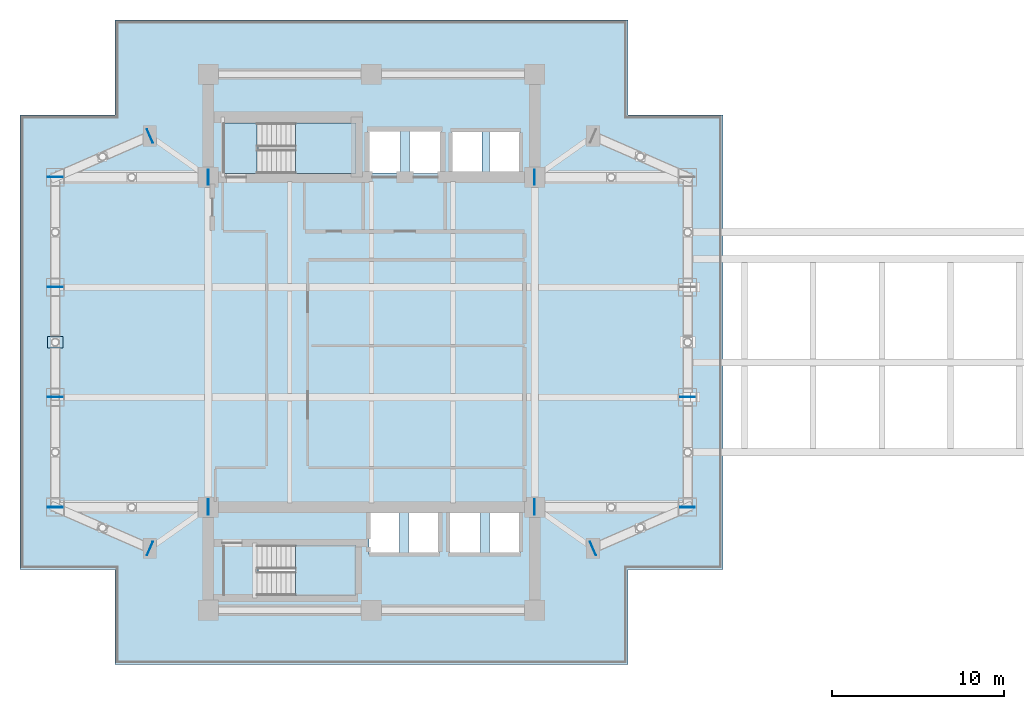
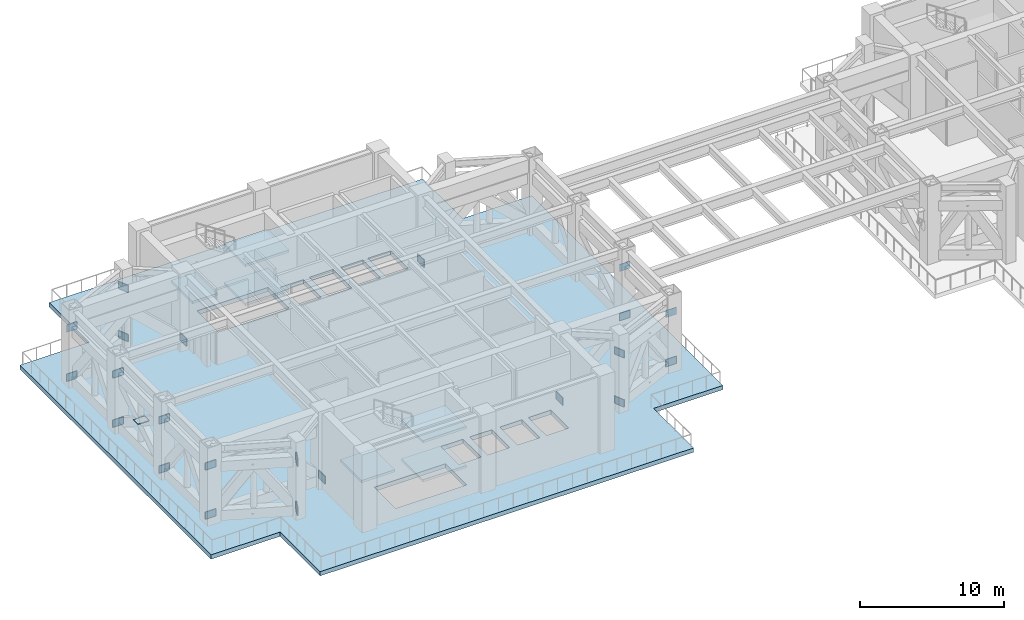
# One storey, part 6 of 21: 23 plates, 7 slabs, 2 elements without a shape of their own.
"""IFC4 building model written with IfcOpenShell, lengths in metres."""

from ifc_helpers import new_model, si_unit, direction, frame, origin, origin_2d, place, context, subcontext, project, spatial, polyline, rectangle, outline, extrude, material, layer, layer_set, type_object, element, aggregate, save


model = new_model("IFC4")

# Units and contexts
model_context = context("Model", 3, precision=1e-05, world=origin(), true_north=direction((0.0, 1.0)))
body_context = subcontext(model_context, "Body", "Model", "MODEL_VIEW")
ifc_project = project(units=[si_unit("LENGTHUNIT", "METRE"), si_unit("AREAUNIT", "SQUARE_METRE"), si_unit("VOLUMEUNIT", "CUBIC_METRE"), si_unit("PLANEANGLEUNIT", "RADIAN"), si_unit("MASSUNIT", "GRAM", prefix="KILO")], contexts=[model_context])

# Site, building, storey
site_placement = place(None, origin())
site = spatial("IfcSite", under=ifc_project, at=site_placement, CompositionType="ELEMENT")
building_placement = place(site_placement, origin())
building = spatial("IfcBuilding", under=site, at=building_placement, Name="Mirazonda Arch Towers", CompositionType="ELEMENT")
storey_placement = place(building_placement, frame((0.0, 0.0, 81.800048828125)))
storey = spatial("IfcBuildingStorey", under=building, at=storey_placement, Name="L23", CompositionType="ELEMENT", Elevation=81.800048828125)

# Plates
ifc_material_1 = material(Name="Steel ASTM A572 Grade 50", Category="steel")
ifc_layer_1 = layer(ifc_material_1, 0.035888671875, Name="PLATE-CAP-850x600x36")
ifc_layer_set_1 = layer_set([ifc_layer_1], Name="Steel ASTM A572 Grade 50")
plate_type_1 = type_object("IfcPlateType", Name="PLATE-CAP-850x600x36", PredefinedType="USERDEFINED", material=ifc_layer_set_1)
for number, where, z_axis, x_axis, name in (
    (1, (2.10009765625, 18.39208984375, 0.25), (0.0, 0.0, 1.0), (0.0, -1.0, 0.0), "Steel end closure plate NP-BLT-L23-T1-BC01A"),
    (2, (2.10009765625, 24.80810546875, 0.25), (0.0, 0.0, 1.0), (0.0, 1.0, 0.0), "Steel end closure plate NP-BLT-L23-T1-BC01B"),
    (3, (2.10009765625, 18.39208984375, 4.39990234375), (0.0, 0.0, 1.0), (0.0, -1.0, 0.0), "Steel end closure plate NP-BLT-L23-T1-TC01A"),
    (4, (2.10009765625, 24.80810546875, 4.39990234375), (0.0, 0.0, 1.0), (0.0, 1.0, 0.0), "Steel end closure plate NP-BLT-L23-T1-TC01B"),
    (5, (2.10009765625, 31.2080078125, 0.25), (0.0, 0.0, 1.0), (0.0, 1.0, 0.0), "Steel end closure plate NP-BLT-L23-T1-BC02B"),
    (6, (2.10009765625, 31.2080078125, 4.39990234375), (0.0, 0.0, 1.0), (0.0, 1.0, 0.0), "Steel end closure plate NP-BLT-L23-T1-TC02B"),
    (7, (2.10009765625, 37.60791015625, 0.25), (0.0, 0.0, 1.0), (0.0, 1.0, 0.0), "Steel end closure plate NP-BLT-L23-T1-BC03B"),
    (8, (2.10009765625, 37.60791015625, 4.39990234375), (0.0, 0.0, 1.0), (0.0, 1.0, 0.0), "Steel end closure plate NP-BLT-L23-T1-TC03B"),
    (9, (38.89990234375, 18.39208984375, 0.25), (0.0, 0.0, 1.0), (0.0, -1.0, 0.0), "Steel end closure plate NP-BLT-L23-T1-BC04A"),
    (10, (38.89990234375, 24.80810546875, 0.25), (0.0, 0.0, 1.0), (0.0, 1.0, 0.0), "Steel end closure plate NP-BLT-L23-T1-BC04B"),
    (11, (38.89990234375, 18.39208984375, 4.39990234375), (0.0, 0.0, 1.0), (0.0, -1.0, 0.0), "Steel end closure plate NP-BLT-L23-T1-TC04A"),
    (12, (38.89990234375, 24.80810546875, 4.39990234375), (0.0, 0.0, 1.0), (0.0, 1.0, 0.0), "Steel end closure plate NP-BLT-L23-T1-TC04B"),
    (13, (7.607421875, 15.996826171875, 0.25), (0.0, 0.0, 1.0), (0.916572226203, -0.399869171297, 0.0), "Steel end closure plate NP-BLT-L23-T1-BC07B"),
    (14, (7.607421875, 15.996826171875, 4.39990234375), (0.0, 0.0, 1.0), (0.916572226203, -0.399869171297, 0.0), "Steel end closure plate NP-BLT-L23-T1-TC07B"),
    (15, (33.392578125, 15.996826171875, 0.25), (0.0, 0.0, 1.0), (-0.916572226203, -0.399869171297, 0.0), "Steel end closure plate NP-BLT-L23-T1-BC08A"),
    (16, (33.392578125, 15.996826171875, 4.39990234375), (0.0, 0.0, 1.0), (-0.916572226203, -0.399869171297, 0.0), "Steel end closure plate NP-BLT-L23-T1-TC08A"),
    (17, (7.607421875, 40.003173828125, 0.25), (0.0, 0.0, 1.0), (0.916572226203, 0.399869171297, 0.0), "Steel end closure plate NP-BLT-L23-T1-BC09B"),
    (18, (7.607421875, 40.003173828125, 4.39990234375), (0.0, 0.0, 1.0), (0.916572226203, 0.399869171297, 0.0), "Steel end closure plate NP-BLT-L23-T1-TC09B"),
):
    element("IfcPlate", number, at=place(storey_placement, frame(where, z_axis=z_axis, x_axis=x_axis)), inside=storey, type_object=plate_type_1, Name=name, ObjectType="CAP PLATE", PredefinedType="USERDEFINED", context=body_context, shape_type="SweptSolid", body=[
        extrude(rectangle(XDim=0.0400390625, YDim=0.85009765625, at=origin_2d()), origin(), (0.0, 0.0, 1.0), 0.60009765625),
    ])
ifc_layer_2 = layer(ifc_material_1, 0.031982421875, Name="PLATE-GUSSET-900x650x32")
ifc_layer_set_2 = layer_set([ifc_layer_2], Name="Steel ASTM A572 Grade 50")
plate_type_2 = type_object("IfcPlateType", Name="PLATE-GUSSET-900x650x32", PredefinedType="USERDEFINED", material=ifc_layer_set_2)
plate_placement = place(storey_placement, frame((2.10009765625, 28.0, 2.613037109375), z_axis=(0.0, 0.0, 1.0), x_axis=(1.0, 0.0, 0.0)))
element("IfcPlate", 19, at=plate_placement, inside=storey, type_object=plate_type_2, Name="Steel end closure plate NP-BLT-L23-T1-XND02", ObjectType="GUSSET_PLATE", PredefinedType="USERDEFINED", context=body_context, shape_type="SweptSolid", body=[
    extrude(rectangle(XDim=0.89990234375, YDim=0.64990234375, at=origin_2d()), origin(), (0.0, 0.0, 1.0), 0.0400390625),
])
for number, where, z_axis, x_axis, name in (
    (20, (11.005859375, 18.39990234375, 0.219482421875), (0.0, 0.0, 1.0), (1.0, 0.0, 0.0), "Steel end closure plate NP-OUT-L23-T1-DG01B0"),
    (21, (29.994140625, 18.39990234375, 0.219482421875), (0.0, 0.0, 1.0), (-1.0, 0.0, 0.0), "Steel end closure plate NP-OUT-L23-T1-DG02A0"),
    (22, (11.005859375, 37.60009765625, 0.219482421875), (0.0, 0.0, 1.0), (1.0, 0.0, 0.0), "Steel end closure plate NP-OUT-L23-T1-DG03B0"),
    (23, (29.994140625, 37.60009765625, 0.219482421875), (0.0, 0.0, 1.0), (-1.0, 0.0, 0.0), "Steel end closure plate NP-OUT-L23-T1-DG04A0"),
):
    element("IfcPlate", number, at=place(storey_placement, frame(where, z_axis=z_axis, x_axis=x_axis)), inside=storey, type_object=plate_type_2, Name=name, ObjectType="GUSSET_PLATE", PredefinedType="USERDEFINED", context=body_context, shape_type="SweptSolid", body=[
        extrude(rectangle(XDim=0.0400390625, YDim=0.89990234375, at=origin_2d()), origin(), (0.0, 0.0, 1.0), 0.64990234375),
    ])

# Stair, slabs
ifc_material_2 = material(Name="Concrete C40/50", Category="concrete")
stair_type = type_object("IfcStairType", Name="STAIR-CORE-1400", PredefinedType="HALF_TURN_STAIR", material=ifc_material_2)
stair_1_placement = place(storey_placement, origin())
stair_1 = element("IfcStair", 24, at=stair_1_placement, inside=storey, type_object=stair_type, Name="L23 Protected Exit Stair ST-T1N", PredefinedType="HALF_TURN_STAIR")
ifc_layer_3 = layer(ifc_material_2, 0.18994140625, Name="SLAB-LANDING-190")
ifc_layer_set_3 = layer_set([ifc_layer_3], Name="Concrete C40/50")
slab_type_1 = type_object("IfcSlabType", Name="SLAB-LANDING-190", PredefinedType="LANDING", material=ifc_layer_set_3)
slab_1_placement = place(storey_placement, frame((0.0, 0.0, 1.449951171875)))
slab_1 = element("IfcSlab", 25, at=slab_1_placement, type_object=slab_type_1, Name="ST-T1N landing 1", PredefinedType="LANDING", context=body_context, shape_type="SweptSolid", body=[
    extrude(outline(polyline([(16.090087890625, 37.820068359375), (19.60009765625, 37.820068359375), (19.60009765625, 40.760009765625), (16.090087890625, 40.760009765625), (16.090087890625, 37.820068359375)])), origin(), (0.0, 0.0, 1.0), 0.199951171875),
])
slab_2_placement = place(storey_placement, frame((0.0, 0.0, 3.099853515625)))
slab_2 = element("IfcSlab", 26, at=slab_2_placement, type_object=slab_type_1, Name="ST-T1N landing 2", PredefinedType="LANDING", context=body_context, shape_type="SweptSolid", body=[
    extrude(outline(polyline([(11.85009765625, 37.820068359375), (13.85009765625, 37.820068359375), (13.85009765625, 40.760009765625), (11.85009765625, 40.760009765625), (11.85009765625, 37.820068359375)])), origin(), (0.0, 0.0, 1.0), 0.2001953125),
])
slab_3_placement = place(storey_placement, frame((0.0, 0.0, 4.75)))
slab_3 = element("IfcSlab", 27, at=slab_3_placement, type_object=slab_type_1, Name="ST-T1N landing 3", PredefinedType="LANDING", context=body_context, shape_type="SweptSolid", body=[
    extrude(outline(polyline([(16.090087890625, 37.820068359375), (19.60009765625, 37.820068359375), (19.60009765625, 40.760009765625), (16.090087890625, 40.760009765625), (16.090087890625, 37.820068359375)])), origin(), (0.0, 0.0, 1.0), 0.199951171875),
])
aggregate(stair_1, [slab_1, slab_2, slab_3])

stair_2_placement = place(storey_placement, origin())
stair_2 = element("IfcStair", 28, at=stair_2_placement, inside=storey, type_object=stair_type, Name="L23 Protected Exit Stair ST-T1S", PredefinedType="HALF_TURN_STAIR")
slab_4_placement = place(storey_placement, frame((0.0, 0.0, 1.449951171875)))
slab_4 = element("IfcSlab", 29, at=slab_4_placement, type_object=slab_type_1, Name="ST-T1S landing 1", PredefinedType="LANDING", context=body_context, shape_type="SweptSolid", body=[
    extrude(outline(polyline([(16.090087890625, 13.25), (19.60009765625, 13.25), (19.60009765625, 16.18994140625), (16.090087890625, 16.18994140625), (16.090087890625, 13.25)])), origin(), (0.0, 0.0, 1.0), 0.199951171875),
])
slab_5_placement = place(storey_placement, frame((0.0, 0.0, 3.099853515625)))
slab_5 = element("IfcSlab", 30, at=slab_5_placement, type_object=slab_type_1, Name="ST-T1S landing 2", PredefinedType="LANDING", context=body_context, shape_type="SweptSolid", body=[
    extrude(outline(polyline([(11.179931640625, 13.25), (13.85009765625, 13.25), (13.85009765625, 16.18994140625), (11.179931640625, 16.18994140625), (11.179931640625, 13.25)])), origin(), (0.0, 0.0, 1.0), 0.2001953125),
])
slab_6_placement = place(storey_placement, frame((0.0, 0.0, 4.75)))
slab_6 = element("IfcSlab", 31, at=slab_6_placement, type_object=slab_type_1, Name="ST-T1S landing 3", PredefinedType="LANDING", context=body_context, shape_type="SweptSolid", body=[
    extrude(outline(polyline([(16.090087890625, 13.25), (19.60009765625, 13.25), (19.60009765625, 16.18994140625), (16.090087890625, 16.18994140625), (16.090087890625, 13.25)])), origin(), (0.0, 0.0, 1.0), 0.199951171875),
])
aggregate(stair_2, [slab_4, slab_5, slab_6])

# Slab
ifc_material_3 = material(Name="Concrete C50/60", Category="concrete")
ifc_layer_4 = layer(ifc_material_3, 0.360107421875, Name="SLAB-PORTAL-360")
ifc_layer_set_4 = layer_set([ifc_layer_4], Name="Concrete C50/60")
slab_type_2 = type_object("IfcSlabType", Name="SLAB-PORTAL-360", PredefinedType="FLOOR", material=ifc_layer_set_4)
slab_7_placement = place(storey_placement, frame((0.0, 0.0, -0.360107421875)))
element("IfcSlab", 32, at=slab_7_placement, inside=storey, type_object=slab_type_2, Name="L23 Tower 1 Wind-Portal Deck Slab", PredefinedType="FLOOR", context=body_context, shape_type="SweptSolid", body=[
    extrude(outline(polyline([(5.574951171875, 9.25), (35.425048828125, 9.25), (35.425048828125, 14.77490234375), (40.949951171875, 14.77490234375), (40.949951171875, 41.22509765625), (35.425048828125, 41.22509765625), (35.425048828125, 46.75), (5.574951171875, 46.75), (5.574951171875, 41.22509765625), (0.050048828125, 41.22509765625), (0.050048828125, 14.77490234375), (5.574951171875, 14.77490234375), (5.574951171875, 9.25)]), holes=[polyline([(29.139892578125, 18.139892578125), (29.139892578125, 15.659912109375), (27.360107421875, 15.659912109375), (27.360107421875, 18.139892578125), (29.139892578125, 18.139892578125)]), polyline([(29.139892578125, 40.340087890625), (29.139892578125, 37.860107421875), (27.360107421875, 37.860107421875), (27.360107421875, 40.340087890625), (29.139892578125, 40.340087890625)]), polyline([(25.159912109375, 40.340087890625), (26.93994140625, 40.340087890625), (26.93994140625, 37.860107421875), (25.159912109375, 37.860107421875), (25.159912109375, 40.340087890625)]), polyline([(26.840087890625, 18.139892578125), (26.840087890625, 15.659912109375), (25.06005859375, 15.659912109375), (25.06005859375, 18.139892578125), (26.840087890625, 18.139892578125)]), polyline([(22.7099609375, 40.389892578125), (24.590087890625, 40.389892578125), (24.590087890625, 37.81005859375), (22.7099609375, 37.81005859375), (22.7099609375, 40.389892578125)]), polyline([(22.659912109375, 18.139892578125), (24.43994140625, 18.139892578125), (24.43994140625, 15.659912109375), (22.659912109375, 15.659912109375), (22.659912109375, 18.139892578125)]), polyline([(20.31005859375, 40.340087890625), (22.18994140625, 40.340087890625), (22.18994140625, 37.860107421875), (20.31005859375, 37.860107421875), (20.31005859375, 40.340087890625)]), polyline([(20.360107421875, 18.139892578125), (22.139892578125, 18.139892578125), (22.139892578125, 15.659912109375), (20.360107421875, 15.659912109375), (20.360107421875, 18.139892578125)]), polyline([(13.925048828125, 40.760009765625), (19.60009765625, 40.760009765625), (19.60009765625, 37.820068359375), (13.925048828125, 37.820068359375), (13.925048828125, 40.760009765625)]), polyline([(13.925048828125, 13.25), (13.925048828125, 16.18994140625), (19.60009765625, 16.18994140625), (19.60009765625, 13.25), (13.925048828125, 13.25)])]), origin(), (0.0, 0.0, 1.0), 0.360107421875),
])

save(model, "model.ifc")
